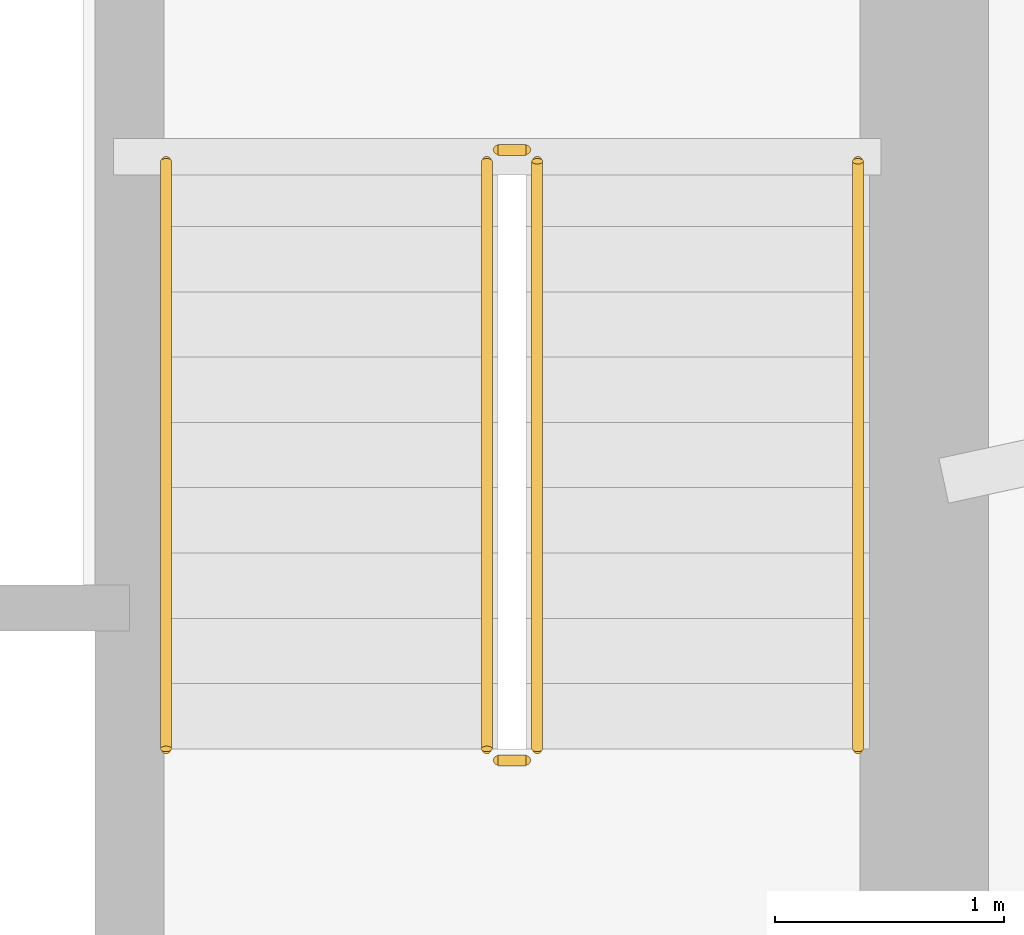
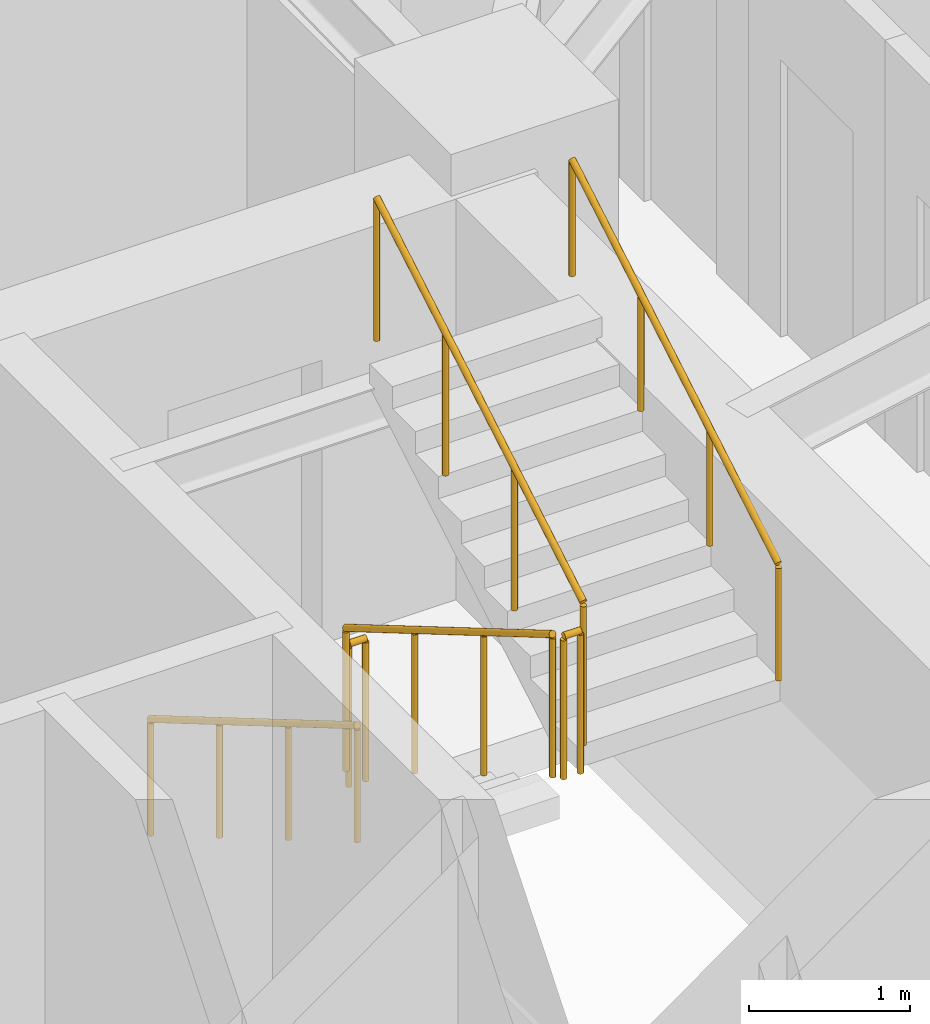
# One storey, part 25 of 26: 6 railings.
"""IFC4 building model written with IfcOpenShell, lengths in metres."""

from ifc_helpers import new_model, si_unit, direction, frame, origin, origin_2d, place, context, subcontext, project, spatial, circle, extrude, material, type_object, element, save


model = new_model("IFC4")

# Units and contexts
model_context = context("Model", 3, precision=1e-05, world=origin(), true_north=direction((0.0, 1.0)))
body_context = subcontext(model_context, "Body", "Model", "MODEL_VIEW")
ifc_project = project(units=[si_unit("LENGTHUNIT", "METRE"), si_unit("AREAUNIT", "SQUARE_METRE"), si_unit("VOLUMEUNIT", "CUBIC_METRE"), si_unit("PLANEANGLEUNIT", "RADIAN"), si_unit("MASSUNIT", "GRAM", prefix="KILO")], contexts=[model_context])

# Site, building, storey
site_placement = place(None, origin())
site = spatial("IfcSite", under=ifc_project, at=site_placement, CompositionType="ELEMENT")
building_placement = place(site_placement, origin())
building = spatial("IfcBuilding", under=site, at=building_placement, Name="Qobustan Lattice House", CompositionType="ELEMENT")
storey_placement = place(building_placement, frame((0.0, 0.0, 47.10009765625)))
storey = spatial("IfcBuildingStorey", under=building, at=storey_placement, Name="L12", CompositionType="ELEMENT", Elevation=47.10009765625)

# Railings
ifc_material_1 = material(Name="Brushed stainless steel handrail", Category="steel")
railing_type_1 = type_object("IfcRailingType", Name="RAL-HR-920", PredefinedType="HANDRAIL", material=ifc_material_1)
railing_1_placement = place(storey_placement, frame((15.179931640625, 3.5, 0.16748046875)))
element("IfcRailing", 1, at=railing_1_placement, inside=storey, type_object=railing_type_1, Name="L12 ST-E1 stair handrail 1", PredefinedType="HANDRAIL", context=body_context, shape_type="SweptSolid", body=[
    extrude(circle(Radius=0.02392578125, at=origin_2d()), frame((0.0, 0.0, 0.8759765625), z_axis=(0.0, -0.862149314443, 0.506654280161), x_axis=(1.0, 0.0, 0.0)), (0.0, 0.0, 1.0), 2.97509765625),
    extrude(circle(Radius=0.02099609375, at=origin_2d()), origin(), (0.0, 0.0, 1.0), 0.851806640625),
    extrude(circle(Radius=0.02099609375, at=origin_2d()), frame((0.0, -0.85498046875, 0.50244140625)), (0.0, 0.0, 1.0), 0.851806640625),
    extrude(circle(Radius=0.02099609375, at=origin_2d()), frame((0.0, -1.7099609375, 1.0048828125)), (0.0, 0.0, 1.0), 0.851806640625),
    extrude(circle(Radius=0.02099609375, at=origin_2d()), frame((0.0, -2.56494140625, 1.50732421875)), (0.0, 0.0, 1.0), 0.851806640625),
])
railing_2_placement = place(storey_placement, frame((18.199951171875, 0.93505859375, 1.84228515625)))
element("IfcRailing", 2, at=railing_2_placement, inside=storey, type_object=railing_type_1, Name="L12 ST-E1 stair handrail 2", PredefinedType="HANDRAIL", context=body_context, shape_type="SweptSolid", body=[
    extrude(circle(Radius=0.02392578125, at=origin_2d()), frame((0.0, 0.0, 0.8759765625), z_axis=(0.0, 0.862113467892, 0.50671527358), x_axis=(-1.0, 0.0, 0.0)), (0.0, 0.0, 1.0), 2.97509765625),
    extrude(circle(Radius=0.02099609375, at=origin_2d()), origin(), (0.0, 0.0, 1.0), 0.851806640625),
    extrude(circle(Radius=0.02099609375, at=origin_2d()), frame((0.0, 0.85498046875, 0.50244140625)), (0.0, 0.0, 1.0), 0.851806640625),
    extrude(circle(Radius=0.02099609375, at=origin_2d()), frame((0.0, 1.7099609375, 1.005126953125)), (0.0, 0.0, 1.0), 0.851806640625),
    extrude(circle(Radius=0.02099609375, at=origin_2d()), frame((0.0, 2.56494140625, 1.507568359375)), (0.0, 0.0, 1.0), 0.851806640625),
])
ifc_material_2 = material(Name="Painted galvanized steel guardrail", Category="steel")
railing_type_2 = type_object("IfcRailingType", Name="RAL-STG-1150", PredefinedType="GUARDRAIL", material=ifc_material_2)
railing_3_placement = place(storey_placement, frame((16.580078125, 3.5, 0.16748046875)))
element("IfcRailing", 3, at=railing_3_placement, inside=storey, type_object=railing_type_2, Name="L12 ST-E1 stair guard 1", PredefinedType="GUARDRAIL", context=body_context, shape_type="SweptSolid", body=[
    extrude(circle(Radius=0.02392578125, at=origin_2d()), frame((0.0, 0.0, 1.076171875), z_axis=(0.0, -0.862149314443, 0.506654280161), x_axis=(1.0, 0.0, 0.0)), (0.0, 0.0, 1.0), 2.97509765625),
    extrude(circle(Radius=0.02099609375, at=origin_2d()), origin(), (0.0, 0.0, 1.0), 1.052001953125),
    extrude(circle(Radius=0.02099609375, at=origin_2d()), frame((0.0, -0.85498046875, 0.50244140625)), (0.0, 0.0, 1.0), 1.052001953125),
    extrude(circle(Radius=0.02099609375, at=origin_2d()), frame((0.0, -1.7099609375, 1.0048828125)), (0.0, 0.0, 1.0), 1.052001953125),
    extrude(circle(Radius=0.02099609375, at=origin_2d()), frame((0.0, -2.56494140625, 1.50732421875)), (0.0, 0.0, 1.0), 1.052001953125),
])
railing_4_placement = place(storey_placement, frame((16.6298828125, 0.885009765625, 1.6748046875)))
element("IfcRailing", 4, at=railing_4_placement, inside=storey, type_object=railing_type_2, Name="L12 ST-E1 stair guard 2", PredefinedType="GUARDRAIL", context=body_context, shape_type="SweptSolid", body=[
    extrude(circle(Radius=0.02392578125, at=origin_2d()), frame((0.0, 0.0, 1.076171875), z_axis=(1.0, 0.0, 0.0), x_axis=(0.0, 1.0, 0.0)), (0.0, 0.0, 1.0), 0.1201171875),
    extrude(circle(Radius=0.02099609375, at=origin_2d()), origin(), (0.0, 0.0, 1.0), 1.052001953125),
    extrude(circle(Radius=0.02099609375, at=origin_2d()), frame((0.1201171875, 0.0, 0.0)), (0.0, 0.0, 1.0), 1.052001953125),
])
railing_5_placement = place(storey_placement, frame((16.800048828125, 0.93505859375, 1.84228515625)))
element("IfcRailing", 5, at=railing_5_placement, inside=storey, type_object=railing_type_2, Name="L12 ST-E1 stair guard 3", PredefinedType="GUARDRAIL", context=body_context, shape_type="SweptSolid", body=[
    extrude(circle(Radius=0.02392578125, at=origin_2d()), frame((0.0, 0.0, 1.076171875), z_axis=(0.0, 0.862113467892, 0.50671527358), x_axis=(-1.0, 0.0, 0.0)), (0.0, 0.0, 1.0), 2.97509765625),
    extrude(circle(Radius=0.02099609375, at=origin_2d()), origin(), (0.0, 0.0, 1.0), 1.052001953125),
    extrude(circle(Radius=0.02099609375, at=origin_2d()), frame((0.0, 0.85498046875, 0.50244140625)), (0.0, 0.0, 1.0), 1.052001953125),
    extrude(circle(Radius=0.02099609375, at=origin_2d()), frame((0.0, 1.7099609375, 1.005126953125)), (0.0, 0.0, 1.0), 1.052001953125),
    extrude(circle(Radius=0.02099609375, at=origin_2d()), frame((0.0, 2.56494140625, 1.507568359375)), (0.0, 0.0, 1.0), 1.052001953125),
])
railing_6_placement = place(storey_placement, frame((16.6298828125, 3.550048828125, 0.0)))
element("IfcRailing", 6, at=railing_6_placement, inside=storey, type_object=railing_type_2, Name="L12 ST-E1 stair guard 4", PredefinedType="GUARDRAIL", context=body_context, shape_type="SweptSolid", body=[
    extrude(circle(Radius=0.02392578125, at=origin_2d()), frame((0.0, 0.0, 1.076171875), z_axis=(1.0, 0.0, 0.0), x_axis=(0.0, 1.0, 0.0)), (0.0, 0.0, 1.0), 0.1201171875),
    extrude(circle(Radius=0.02099609375, at=origin_2d()), origin(), (0.0, 0.0, 1.0), 1.052001953125),
    extrude(circle(Radius=0.02099609375, at=origin_2d()), frame((0.1201171875, 0.0, 0.0)), (0.0, 0.0, 1.0), 1.052001953125),
])

save(model, "model.ifc")
